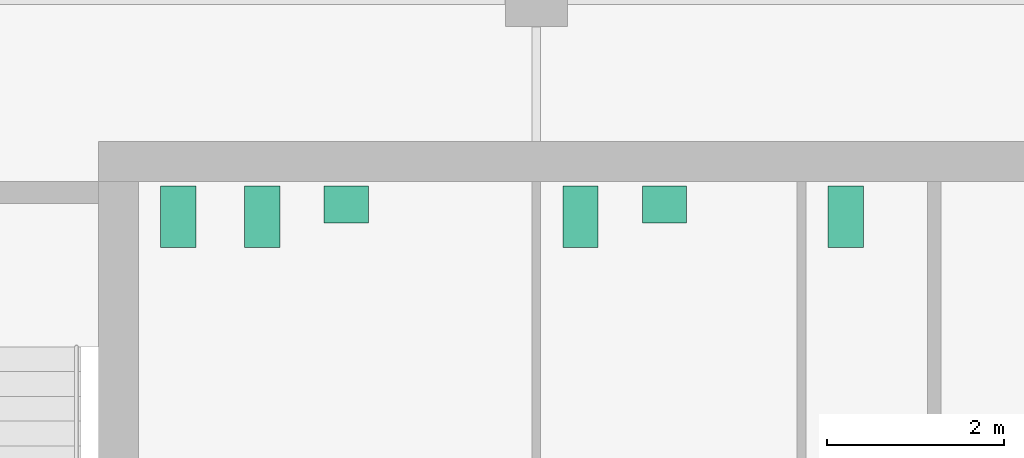
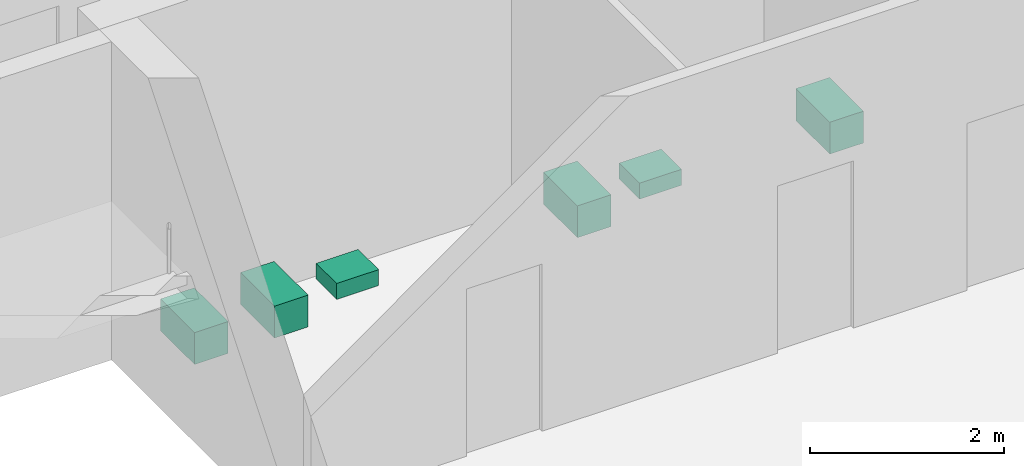
# One storey, part 7 of 7: 6 sanitary terminals.
"""IFC4 building model written with IfcOpenShell, lengths in metres."""

from ifc_helpers import new_model, si_unit, direction, frame, origin, origin_2d, place, context, subcontext, project, spatial, rectangle, extrude, material, type_object, element, save


model = new_model("IFC4")

# Units and contexts
model_context = context("Model", 3, precision=1e-05, world=origin(), true_north=direction((0.0, 1.0)))
body_context = subcontext(model_context, "Body", "Model", "MODEL_VIEW")
ifc_project = project(units=[si_unit("LENGTHUNIT", "METRE"), si_unit("AREAUNIT", "SQUARE_METRE"), si_unit("VOLUMEUNIT", "CUBIC_METRE"), si_unit("PLANEANGLEUNIT", "RADIAN"), si_unit("MASSUNIT", "GRAM", prefix="KILO")], contexts=[model_context])

# Site, building, storey
site_placement = place(None, origin())
site = spatial("IfcSite", under=ifc_project, at=site_placement, CompositionType="ELEMENT")
building_placement = place(site_placement, origin())
building = spatial("IfcBuilding", under=site, at=building_placement, Name="Cinnabar Reach Civic Tower", CompositionType="ELEMENT")
storey_placement = place(building_placement, frame((0.0, 0.0, 271.0)))
storey = spatial("IfcBuildingStorey", under=building, at=storey_placement, Name="L65", CompositionType="ELEMENT", Elevation=271.0)

# Sanitary terminals
ifc_material = material(Name="Vitreous china")
sanitary_terminal_type_1 = type_object("IfcSanitaryTerminalType", Name="T1 WC pan", PredefinedType="TOILETPAN", material=ifc_material)
for number, where, z_axis, x_axis, name in (
    (1, (4.95, 41.6, 0.0), (0.0, 0.0, 1.0), (1.0, 0.0, 0.0), "T1 WC pan 6509-1"),
    (2, (5.9, 41.6, 0.0), (0.0, 0.0, 1.0), (1.0, 0.0, 0.0), "T1 WC pan 6509-2"),
    (3, (9.5, 41.6, 0.0), (0.0, 0.0, 1.0), (1.0, 0.0, 0.0), "T1 WC pan 6510-1"),
    (4, (12.5, 41.6, 0.0), (0.0, 0.0, 1.0), (1.0, 0.0, 0.0), "T1 WC pan 6511-1"),
):
    element("IfcSanitaryTerminal", number, at=place(storey_placement, frame(where, z_axis=z_axis, x_axis=x_axis)), inside=storey, type_object=sanitary_terminal_type_1, Name=name, PredefinedType="TOILETPAN", context=body_context, shape_type="SweptSolid", body=[
        extrude(rectangle(XDim=0.4, YDim=0.7, at=origin_2d()), origin(), (0.0, 0.0, 1.0), 0.4),
    ])
sanitary_terminal_type_2 = type_object("IfcSanitaryTerminalType", Name="T1 wash basin", PredefinedType="WASHHANDBASIN", material=ifc_material)
for number, where, z_axis, x_axis, name in (
    (5, (6.85, 41.74, 0.0), (0.0, 0.0, 1.0), (1.0, 0.0, 0.0), "T1 wash basin 6509-3"),
    (6, (10.45, 41.74, 0.0), (0.0, 0.0, 1.0), (1.0, 0.0, 0.0), "T1 wash basin 6510-2"),
):
    element("IfcSanitaryTerminal", number, at=place(storey_placement, frame(where, z_axis=z_axis, x_axis=x_axis)), inside=storey, type_object=sanitary_terminal_type_2, Name=name, PredefinedType="WASHHANDBASIN", context=body_context, shape_type="SweptSolid", body=[
        extrude(rectangle(XDim=0.5, YDim=0.42, at=origin_2d()), origin(), (0.0, 0.0, 1.0), 0.2),
    ])

save(model, "model.ifc")
